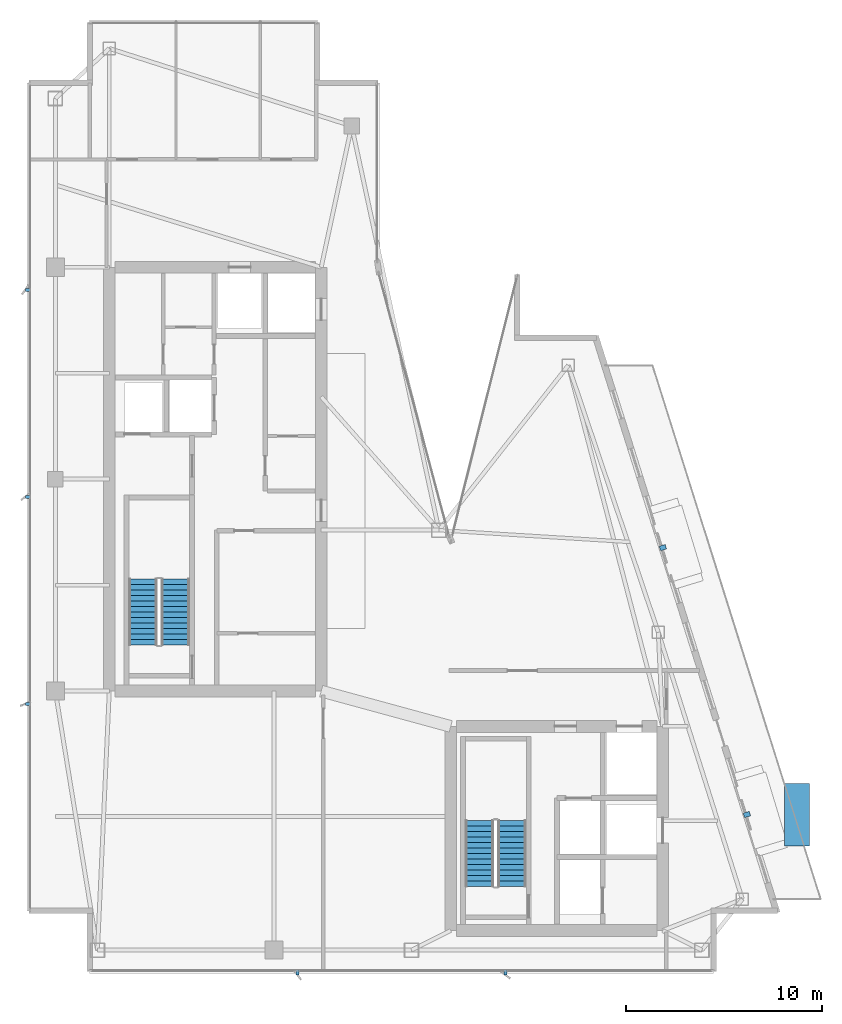
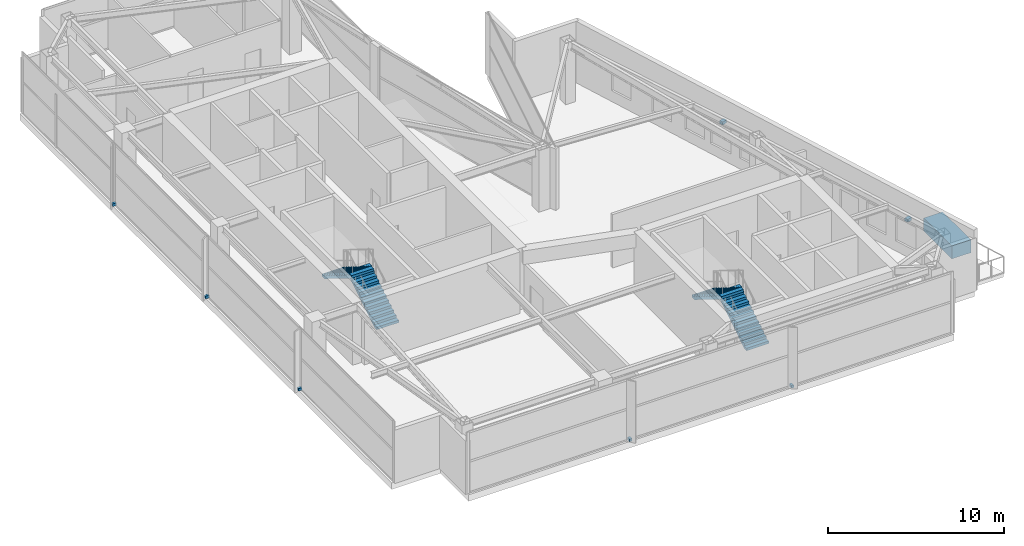
# One storey, part 23 of 25: 8 discrete accessories, 4 stair flights, 2 elements without a shape of their own.
"""IFC4 building model written with IfcOpenShell, lengths in metres."""

from ifc_helpers import new_model, si_unit, direction, frame, origin, origin_2d, place, context, subcontext, project, spatial, polyline, rectangle, outline, extrude, material, type_object, element, aggregate, save


model = new_model("IFC4")

# Units and contexts
model_context = context("Model", 3, precision=1e-05, world=origin(), true_north=direction((0.0, 1.0)))
body_context = subcontext(model_context, "Body", "Model", "MODEL_VIEW")
ifc_project = project(units=[si_unit("LENGTHUNIT", "METRE"), si_unit("AREAUNIT", "SQUARE_METRE"), si_unit("VOLUMEUNIT", "CUBIC_METRE"), si_unit("PLANEANGLEUNIT", "RADIAN"), si_unit("MASSUNIT", "GRAM", prefix="KILO")], contexts=[model_context])

# Site, building, storey
site_placement = place(None, origin())
site = spatial("IfcSite", under=ifc_project, at=site_placement, CompositionType="ELEMENT")
building_placement = place(site_placement, origin())
building = spatial("IfcBuilding", under=site, at=building_placement, Name="Calvorn Quay Hotel", CompositionType="ELEMENT")
storey_placement = place(building_placement, frame((0.0, 0.0, 307.0)))
storey = spatial("IfcBuildingStorey", under=building, at=storey_placement, Name="L76", CompositionType="ELEMENT", Elevation=307.0)

# Stair, stair flights
ifc_material_1 = material(Name="Concrete C40", Category="concrete")
stair_type = type_object("IfcStairType", Name="STR-CORE-DOGLEG", PredefinedType="HALF_TURN_STAIR", material=ifc_material_1)
stair_1_placement = place(storey_placement, origin())
stair_1 = element("IfcStair", 1, at=stair_1_placement, inside=storey, type_object=stair_type, Name="L76 ST-W", PredefinedType="HALF_TURN_STAIR")
ifc_material_2 = material(Name="Concrete C40", Category="concrete")
stair_flight_type = type_object("IfcStairFlightType", Name="FLT-CORE-1550", PredefinedType="STRAIGHT", material=ifc_material_2)
stair_flight_1_placement = place(storey_placement, frame((7.574951171875, 19.14990234375, 0.0), z_axis=(0.0, 0.0, 1.0), x_axis=(0.0, 1.0, 0.0)))
stair_flight_1 = element("IfcStairFlight", 2, at=stair_flight_1_placement, type_object=stair_flight_type, Name="ST-W flight 1", NumberOfRisers=13, NumberOfTreads=12, PredefinedType="STRAIGHT", RiserHeight=0.173076923, TreadLength=0.28, context=body_context, shape_type="SweptSolid", body=[
    extrude(outline(polyline([(0.0, 0.0), (0.0, 0.173095703125), (0.280029296875, 0.173095703125), (0.280029296875, 0.34619140625), (0.56005859375, 0.34619140625), (0.56005859375, 0.519287109375), (0.840087890625, 0.519287109375), (0.840087890625, 0.6923828125), (1.1201171875, 0.6923828125), (1.1201171875, 0.865478515625), (1.39990234375, 0.865478515625), (1.39990234375, 1.03857421875), (1.679931640625, 1.03857421875), (1.679931640625, 1.21142578125), (1.9599609375, 1.21142578125), (1.9599609375, 1.384521484375), (2.239990234375, 1.384521484375), (2.239990234375, 1.5576171875), (2.52001953125, 1.5576171875), (2.52001953125, 1.730712890625), (2.800048828125, 1.730712890625), (2.800048828125, 1.90380859375), (3.080078125, 1.90380859375), (3.080078125, 2.076904296875), (3.360107421875, 2.076904296875), (3.360107421875, 2.25), (3.360107421875, 1.900634765625), (0.28515625, 0.0), (0.0, 0.0)])), frame((0.0, 0.72509765625, 0.0), z_axis=(0.0, -1.0, 0.0), x_axis=(1.0, 0.0, 0.0)), (0.0, 0.0, 1.0), 1.449951171875),
])
stair_flight_2_placement = place(storey_placement, frame((5.925048828125, 22.510009765625, 2.25), z_axis=(0.0, 0.0, 1.0), x_axis=(0.0, -1.0, 0.0)))
stair_flight_2 = element("IfcStairFlight", 3, at=stair_flight_2_placement, type_object=stair_flight_type, Name="ST-W flight 2", NumberOfRisers=13, NumberOfTreads=12, PredefinedType="STRAIGHT", RiserHeight=0.173076923, TreadLength=0.28, context=body_context, shape_type="SweptSolid", body=[
    extrude(outline(polyline([(0.0, 0.0), (0.0, 0.173095703125), (0.280029296875, 0.173095703125), (0.280029296875, 0.34619140625), (0.56005859375, 0.34619140625), (0.56005859375, 0.519287109375), (0.840087890625, 0.519287109375), (0.840087890625, 0.6923828125), (1.1201171875, 0.6923828125), (1.1201171875, 0.865478515625), (1.39990234375, 0.865478515625), (1.39990234375, 1.03857421875), (1.679931640625, 1.03857421875), (1.679931640625, 1.21142578125), (1.9599609375, 1.21142578125), (1.9599609375, 1.384521484375), (2.239990234375, 1.384521484375), (2.239990234375, 1.5576171875), (2.52001953125, 1.5576171875), (2.52001953125, 1.730712890625), (2.800048828125, 1.730712890625), (2.800048828125, 1.90380859375), (3.080078125, 1.90380859375), (3.080078125, 2.076904296875), (3.360107421875, 2.076904296875), (3.360107421875, 2.25), (3.360107421875, 1.900634765625), (0.28515625, 0.0), (0.0, 0.0)])), frame((0.0, 0.72509765625, 0.0), z_axis=(0.0, -1.0, 0.0), x_axis=(1.0, 0.0, 0.0)), (0.0, 0.0, 1.0), 1.449951171875),
])
aggregate(stair_1, [stair_flight_1, stair_flight_2])

stair_2_placement = place(storey_placement, origin())
stair_2 = element("IfcStair", 4, at=stair_2_placement, inside=storey, type_object=stair_type, Name="L76 ST-E", PredefinedType="HALF_TURN_STAIR")
stair_flight_3_placement = place(storey_placement, frame((24.72509765625, 6.85009765625, 0.0), z_axis=(0.0, 0.0, 1.0), x_axis=(0.0, 1.0, 0.0)))
stair_flight_3 = element("IfcStairFlight", 5, at=stair_flight_3_placement, type_object=stair_flight_type, Name="ST-E flight 1", NumberOfRisers=13, NumberOfTreads=12, PredefinedType="STRAIGHT", RiserHeight=0.173076923, TreadLength=0.28, context=body_context, shape_type="SweptSolid", body=[
    extrude(outline(polyline([(0.0, 0.0), (0.0, 0.173095703125), (0.280029296875, 0.173095703125), (0.280029296875, 0.34619140625), (0.56005859375, 0.34619140625), (0.56005859375, 0.519287109375), (0.840087890625, 0.519287109375), (0.840087890625, 0.6923828125), (1.1201171875, 0.6923828125), (1.1201171875, 0.865478515625), (1.39990234375, 0.865478515625), (1.39990234375, 1.03857421875), (1.679931640625, 1.03857421875), (1.679931640625, 1.21142578125), (1.9599609375, 1.21142578125), (1.9599609375, 1.384521484375), (2.239990234375, 1.384521484375), (2.239990234375, 1.5576171875), (2.52001953125, 1.5576171875), (2.52001953125, 1.730712890625), (2.800048828125, 1.730712890625), (2.800048828125, 1.90380859375), (3.080078125, 1.90380859375), (3.080078125, 2.076904296875), (3.360107421875, 2.076904296875), (3.360107421875, 2.25), (3.360107421875, 1.900634765625), (0.28515625, 0.0), (0.0, 0.0)])), frame((0.0, 0.72509765625, 0.0), z_axis=(0.0, -1.0, 0.0), x_axis=(1.0, 0.0, 0.0)), (0.0, 0.0, 1.0), 1.449951171875),
])
stair_flight_4_placement = place(storey_placement, frame((23.074951171875, 10.2099609375, 2.25), z_axis=(0.0, 0.0, 1.0), x_axis=(0.0, -1.0, 0.0)))
stair_flight_4 = element("IfcStairFlight", 6, at=stair_flight_4_placement, type_object=stair_flight_type, Name="ST-E flight 2", NumberOfRisers=13, NumberOfTreads=12, PredefinedType="STRAIGHT", RiserHeight=0.173076923, TreadLength=0.28, context=body_context, shape_type="SweptSolid", body=[
    extrude(outline(polyline([(0.0, 0.0), (0.0, 0.173095703125), (0.280029296875, 0.173095703125), (0.280029296875, 0.34619140625), (0.56005859375, 0.34619140625), (0.56005859375, 0.519287109375), (0.840087890625, 0.519287109375), (0.840087890625, 0.6923828125), (1.1201171875, 0.6923828125), (1.1201171875, 0.865478515625), (1.39990234375, 0.865478515625), (1.39990234375, 1.03857421875), (1.679931640625, 1.03857421875), (1.679931640625, 1.21142578125), (1.9599609375, 1.21142578125), (1.9599609375, 1.384521484375), (2.239990234375, 1.384521484375), (2.239990234375, 1.5576171875), (2.52001953125, 1.5576171875), (2.52001953125, 1.730712890625), (2.800048828125, 1.730712890625), (2.800048828125, 1.90380859375), (3.080078125, 1.90380859375), (3.080078125, 2.076904296875), (3.360107421875, 2.076904296875), (3.360107421875, 2.25), (3.360107421875, 1.900634765625), (0.28515625, 0.0), (0.0, 0.0)])), frame((0.0, 0.72509765625, 0.0), z_axis=(0.0, -1.0, 0.0), x_axis=(1.0, 0.0, 0.0)), (0.0, 0.0, 1.0), 1.449951171875),
])
aggregate(stair_2, [stair_flight_3, stair_flight_4])

# Discrete accessories
ifc_material_3 = material(Name="Steel Q355B", Category="steel")
discrete_accessory_type_1 = type_object("IfcDiscreteAccessoryType", Name="ACC-FIN-BRACKET", PredefinedType="BRACKET", material=ifc_material_3)
for number, where, z_axis, x_axis, name in (
    (7, (0.06005859375, 16.14990234375, 0.0302734375), (0.0, 0.0, 1.0), (1.0, 0.0, 0.0), "Fin Anchor Bracket L76-W01"),
    (8, (0.06005859375, 26.699951171875, 0.0302734375), (0.0, 0.0, 1.0), (1.0, 0.0, 0.0), "Fin Anchor Bracket L76-W02"),
    (9, (0.06005859375, 37.25, 0.0302734375), (0.0, 0.0, 1.0), (1.0, 0.0, 0.0), "Fin Anchor Bracket L76-W03"),
    (10, (13.800048828125, 2.4599609375, 0.0302734375), (0.0, 0.0, 1.0), (0.0, 1.0, 0.0), "Fin Anchor Bracket L76-S01"),
    (11, (24.39990234375, 2.4599609375, 0.0302734375), (0.0, 0.0, 1.0), (0.0, 1.0, 0.0), "Fin Anchor Bracket L76-S02"),
):
    element("IfcDiscreteAccessory", number, at=place(storey_placement, frame(where, z_axis=z_axis, x_axis=x_axis)), inside=storey, type_object=discrete_accessory_type_1, Name=name, PredefinedType="BRACKET", context=body_context, shape_type="SweptSolid", body=[
        extrude(rectangle(XDim=0.239990234375, YDim=0.159912109375, at=origin_2d()), origin(), (0.0, 0.0, 1.0), 0.179931640625),
    ])
for number, where, z_axis, x_axis, name in (
    (12, (36.695068359375, 10.511962890625, 2.3701171875), (0.0, 0.0, 1.0), (0.957319497532, 0.289031796944, 0.0), "Bay Hood Support Bracket L76-HOOD-1"),
    (13, (32.409912109375, 24.112060546875, 2.3701171875), (0.0, 0.0, 1.0), (0.957319497532, 0.289031796944, 0.0), "Bay Hood Support Bracket L76-HOOD-3"),
):
    element("IfcDiscreteAccessory", number, at=place(storey_placement, frame(where, z_axis=z_axis, x_axis=x_axis)), inside=storey, type_object=discrete_accessory_type_1, Name=name, PredefinedType="BRACKET", context=body_context, shape_type="SweptSolid", body=[
        extrude(rectangle(XDim=0.320068359375, YDim=0.239990234375, at=origin_2d()), origin(), (0.0, 0.0, 1.0), 0.199951171875),
    ])
ifc_material_4 = material(Name="Precast concrete C40", Category="concrete")
discrete_accessory_type_2 = type_object("IfcDiscreteAccessoryType", Name="ACC-TREE-PLANTER", PredefinedType="USERDEFINED", material=ifc_material_4)
discrete_accessory_placement = place(storey_placement, frame((39.24609375, 10.5, 0.0), z_axis=(0.0, 0.0, 1.0), x_axis=(1.0, 0.0, 0.0)))
element("IfcDiscreteAccessory", 14, at=discrete_accessory_placement, inside=storey, type_object=discrete_accessory_type_2, Name="Sawtooth Terrace Tree Planter (L76)", ObjectType="PLANTER", PredefinedType="USERDEFINED", context=body_context, shape_type="SweptSolid", body=[
    extrude(rectangle(XDim=1.25, YDim=3.199951171875, at=origin_2d()), origin(), (0.0, 0.0, 1.0), 0.89990234375),
])

save(model, "model.ifc")
